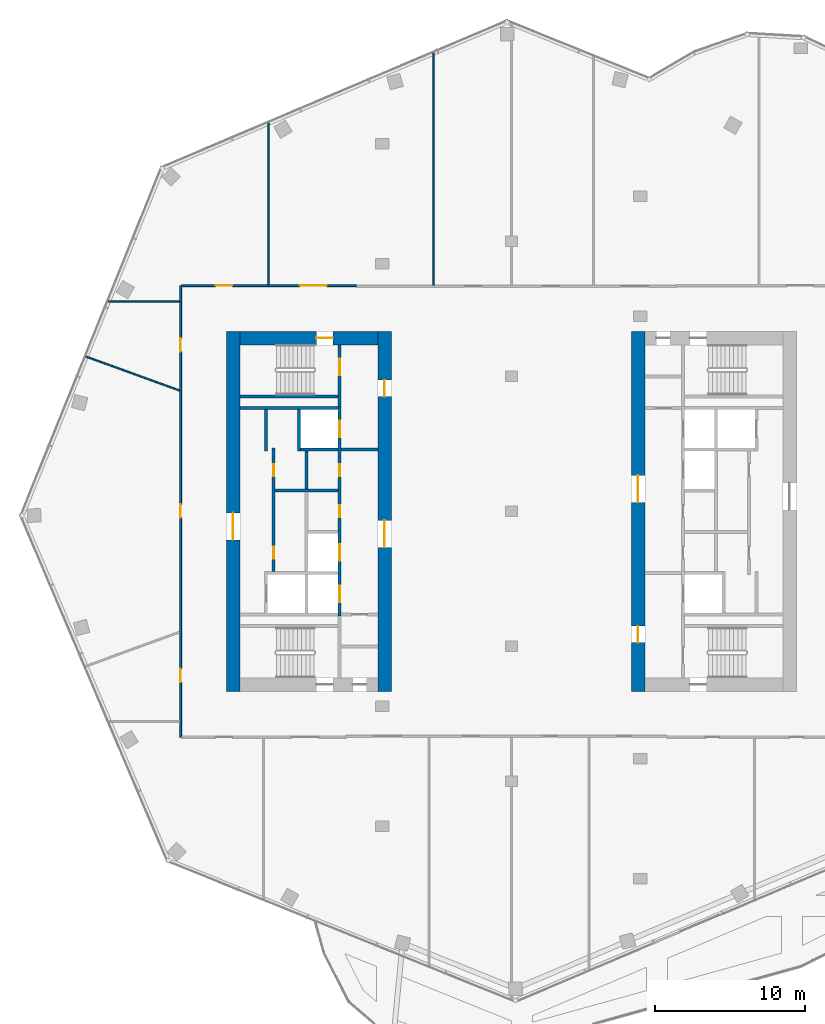
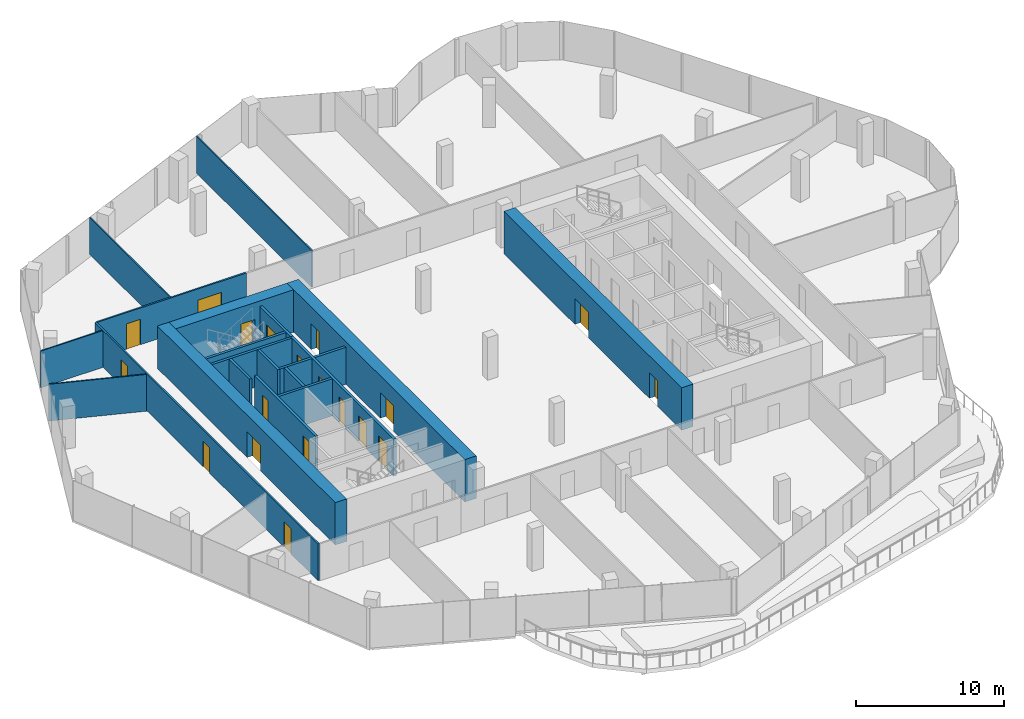
# One storey, part 13 of 17: 21 walls, 19 doors, 19 openings.
"""IFC4 building model written with IfcOpenShell, lengths in metres."""

from ifc_helpers import new_model, si_unit, direction, frame, frame_2d, origin, place, context, subcontext, project, spatial, rectangle, extrude, material, layer, layer_set, type_object, element, fill, save


model = new_model("IFC4")

# Units and contexts
model_context = context("Model", 3, precision=1e-05, world=origin(), true_north=direction((0.0, 1.0)))
body_context = subcontext(model_context, "Body", "Model", "MODEL_VIEW")
ifc_project = project(units=[si_unit("LENGTHUNIT", "METRE"), si_unit("AREAUNIT", "SQUARE_METRE"), si_unit("VOLUMEUNIT", "CUBIC_METRE"), si_unit("PLANEANGLEUNIT", "RADIAN"), si_unit("MASSUNIT", "GRAM", prefix="KILO")], contexts=[model_context])

# Site, building, storey
site_placement = place(None, origin())
site = spatial("IfcSite", under=ifc_project, at=site_placement, CompositionType="ELEMENT")
building_placement = place(site_placement, origin())
building = spatial("IfcBuilding", under=site, at=building_placement, Name="Orlundy Tower", CompositionType="ELEMENT")
storey_placement = place(building_placement, frame((0.0, 0.0, 296.39990234375)))
storey = spatial("IfcBuildingStorey", under=building, at=storey_placement, Name="L79", CompositionType="ELEMENT", Elevation=296.39990234375)

# Wall, opening, door
ifc_material_1 = material(Name="Concrete C50/60", Category="concrete")
ifc_layer_1 = layer(ifc_material_1, 0.89990234375)
ifc_layer_set_1 = layer_set([ifc_layer_1], Name="CORE WALL 900 C50/60")
wall_type_1 = type_object("IfcWallType", Name="CORE WALL 900 C50/60", PredefinedType="SHEAR", material=ifc_layer_set_1)
wall_1_placement = place(storey_placement, frame((-18.10009765625, 11.550048828125, 0.0), z_axis=(0.0, 0.0, 1.0), x_axis=(1.0, 0.0, 0.0)))
wall_1 = element("IfcWall", 1, at=wall_1_placement, inside=storey, type_object=wall_type_1, Name="Core wall W-N L79", PredefinedType="SHEAR", context=body_context, shape_type="SweptSolid", body=[
    extrude(rectangle(XDim=9.2001953125, YDim=0.89990234375, at=frame_2d((4.60009765625, 0.0))), origin(), (0.0, 0.0, 1.0), 3.5),
])
opening_1_placement = place(wall_1_placement, frame((5.10009765625, 0.0, 0.0)))
opening_1 = element("IfcOpeningElement", 2, at=opening_1_placement, cuts=wall_1, Name="Opening 61012", PredefinedType="OPENING", context=body_context, shape_type="SweptSolid", body=[
    extrude(rectangle(XDim=1.10009765625, YDim=2.10009765625, at=frame_2d((0.550048828125, 1.050048828125))), frame((0.0, 0.4599609375, 0.0), z_axis=(0.0, -1.0, 0.0), x_axis=(1.0, 0.0, 0.0)), (0.0, 0.0, 1.0), 0.919921875),
])
ifc_material_2 = material(Name="Steel door set", Category="steel")
door_type_1 = type_object("IfcDoorType", Name="Stair Door 1100x2100", OperationType="SINGLE_SWING_LEFT", PredefinedType="DOOR", material=ifc_material_2)
door_1_placement = place(opening_1_placement, origin())
door_1 = element("IfcDoor", 3, at=door_1_placement, inside=storey, type_object=door_type_1, Name="Stair door 61012", OperationType="SINGLE_SWING_RIGHT", OverallHeight=2.10009765625, OverallWidth=1.10009765625, PredefinedType="DOOR", context=body_context, shape_type="SweptSolid", body=[
    extrude(rectangle(XDim=1.10009765625, YDim=2.10009765625, at=frame_2d((0.550048828125, 1.050048828125))), frame((0.0, 0.02490234375, 0.0), z_axis=(0.0, -1.0, 0.0), x_axis=(1.0, 0.0, 0.0)), (0.0, 0.0, 1.0), 0.050048828125),
])
fill(opening_1, door_1)

wall_2_placement = place(storey_placement, frame((-18.550048828125, -12.0, 0.0), z_axis=(0.0, 0.0, 1.0), x_axis=(0.0, 1.0, 0.0)))
wall_2 = element("IfcWall", 4, at=wall_2_placement, inside=storey, type_object=wall_type_1, Name="Core wall W-W L79", PredefinedType="SHEAR", context=body_context, shape_type="SweptSolid", body=[
    extrude(rectangle(XDim=24.0, YDim=0.89990234375, at=frame_2d((12.0, 0.0))), origin(), (0.0, 0.0, 1.0), 3.5),
])
opening_2_placement = place(wall_2_placement, frame((10.10009765625, 0.0, 0.0)))
opening_2 = element("IfcOpeningElement", 5, at=opening_2_placement, cuts=wall_2, Name="Opening 61010", PredefinedType="OPENING", context=body_context, shape_type="SweptSolid", body=[
    extrude(rectangle(XDim=1.800048828125, YDim=2.10009765625, at=frame_2d((0.89990234375, 1.050048828125))), frame((0.0, 0.4599609375, 0.0), z_axis=(0.0, -1.0, 0.0), x_axis=(1.0, 0.0, 0.0)), (0.0, 0.0, 1.0), 0.919921875),
])
ifc_material_3 = material(Name="Timber door set", Category="wood")
door_type_2 = type_object("IfcDoorType", Name="Lobby Door 1800x2100", OperationType="DOUBLE_DOOR_DOUBLE_SWING", PredefinedType="DOOR", material=ifc_material_3)
door_2_placement = place(opening_2_placement, origin())
door_2 = element("IfcDoor", 6, at=door_2_placement, inside=storey, type_object=door_type_2, Name="Lift lobby door 61010", OperationType="SINGLE_SWING_LEFT", OverallHeight=2.10009765625, OverallWidth=1.800048828125, PredefinedType="DOOR", context=body_context, shape_type="SweptSolid", body=[
    extrude(rectangle(XDim=1.800048828125, YDim=2.10009765625, at=frame_2d((0.89990234375, 1.050048828125))), frame((0.0, 0.02490234375, 0.0), z_axis=(0.0, -1.0, 0.0), x_axis=(1.0, 0.0, 0.0)), (0.0, 0.0, 1.0), 0.050048828125),
])
fill(opening_2, door_2)

# Wall, openings, doors
wall_3_placement = place(storey_placement, frame((-8.449951171875, -12.0, 0.0), z_axis=(0.0, 0.0, 1.0), x_axis=(0.0, 1.0, 0.0)))
wall_3 = element("IfcWall", 7, at=wall_3_placement, inside=storey, type_object=wall_type_1, Name="Core wall W-E L79", PredefinedType="SHEAR", context=body_context, shape_type="SweptSolid", body=[
    extrude(rectangle(XDim=24.0, YDim=0.89990234375, at=frame_2d((12.0, 0.0))), origin(), (0.0, 0.0, 1.0), 3.5),
])
opening_3_placement = place(wall_3_placement, frame((9.60009765625, 0.0, 0.0)))
opening_3 = element("IfcOpeningElement", 8, at=opening_3_placement, cuts=wall_3, Name="Opening 61009", PredefinedType="OPENING", context=body_context, shape_type="SweptSolid", body=[
    extrude(rectangle(XDim=1.800048828125, YDim=2.10009765625, at=frame_2d((0.89990234375, 1.050048828125))), frame((0.0, 0.4599609375, 0.0), z_axis=(0.0, -1.0, 0.0), x_axis=(1.0, 0.0, 0.0)), (0.0, 0.0, 1.0), 0.919921875),
])
opening_4_placement = place(wall_3_placement, frame((19.64990234375, 0.0, 0.0)))
opening_4 = element("IfcOpeningElement", 9, at=opening_4_placement, cuts=wall_3, Name="Opening 61011", PredefinedType="OPENING", context=body_context, shape_type="SweptSolid", body=[
    extrude(rectangle(XDim=1.10009765625, YDim=2.10009765625, at=frame_2d((0.550048828125, 1.050048828125))), frame((0.0, 0.4599609375, 0.0), z_axis=(0.0, -1.0, 0.0), x_axis=(1.0, 0.0, 0.0)), (0.0, 0.0, 1.0), 0.919921875),
])
ifc_material_4 = material(Name="Steel door set", Category="steel")
door_type_3 = type_object("IfcDoorType", Name="Fire-fighting Lobby Door 1100x2100", OperationType="SINGLE_SWING_LEFT", PredefinedType="DOOR", material=ifc_material_4)
door_3_placement = place(opening_4_placement, origin())
door_3 = element("IfcDoor", 10, at=door_3_placement, inside=storey, type_object=door_type_3, Name="Fire-fighting lobby door 61011", OperationType="SINGLE_SWING_RIGHT", OverallHeight=2.10009765625, OverallWidth=1.10009765625, PredefinedType="DOOR", context=body_context, shape_type="SweptSolid", body=[
    extrude(rectangle(XDim=1.10009765625, YDim=2.10009765625, at=frame_2d((0.550048828125, 1.050048828125))), frame((0.0, 0.02490234375, 0.0), z_axis=(0.0, -1.0, 0.0), x_axis=(1.0, 0.0, 0.0)), (0.0, 0.0, 1.0), 0.050048828125),
])
fill(opening_4, door_3)
door_4_placement = place(opening_3_placement, origin())
door_4 = element("IfcDoor", 11, at=door_4_placement, inside=storey, type_object=door_type_2, Name="Lift lobby door 61009", OperationType="SINGLE_SWING_LEFT", OverallHeight=2.10009765625, OverallWidth=1.800048828125, PredefinedType="DOOR", context=body_context, shape_type="SweptSolid", body=[
    extrude(rectangle(XDim=1.800048828125, YDim=2.10009765625, at=frame_2d((0.89990234375, 1.050048828125))), frame((0.0, 0.02490234375, 0.0), z_axis=(0.0, -1.0, 0.0), x_axis=(1.0, 0.0, 0.0)), (0.0, 0.0, 1.0), 0.050048828125),
])
fill(opening_3, door_4)

wall_4_placement = place(storey_placement, frame((8.449951171875, -12.0, 0.0), z_axis=(0.0, 0.0, 1.0), x_axis=(0.0, 1.0, 0.0)))
wall_4 = element("IfcWall", 12, at=wall_4_placement, inside=storey, type_object=wall_type_1, Name="Core wall E-W L79", PredefinedType="SHEAR", context=body_context, shape_type="SweptSolid", body=[
    extrude(rectangle(XDim=24.0, YDim=0.89990234375, at=frame_2d((12.0, 0.0))), origin(), (0.0, 0.0, 1.0), 3.5),
])
opening_5_placement = place(wall_4_placement, frame((12.60009765625, 0.0, 0.0)))
opening_5 = element("IfcOpeningElement", 13, at=opening_5_placement, cuts=wall_4, Name="Opening 61058", PredefinedType="OPENING", context=body_context, shape_type="SweptSolid", body=[
    extrude(rectangle(XDim=1.800048828125, YDim=2.10009765625, at=frame_2d((0.89990234375, 1.050048828125))), frame((0.0, 0.4599609375, 0.0), z_axis=(0.0, -1.0, 0.0), x_axis=(1.0, 0.0, 0.0)), (0.0, 0.0, 1.0), 0.919921875),
])
opening_6_placement = place(wall_4_placement, frame((3.25, 0.0, 0.0)))
opening_6 = element("IfcOpeningElement", 14, at=opening_6_placement, cuts=wall_4, Name="Opening 61060", PredefinedType="OPENING", context=body_context, shape_type="SweptSolid", body=[
    extrude(rectangle(XDim=1.10009765625, YDim=2.10009765625, at=frame_2d((0.550048828125, 1.050048828125))), frame((0.0, 0.4599609375, 0.0), z_axis=(0.0, -1.0, 0.0), x_axis=(1.0, 0.0, 0.0)), (0.0, 0.0, 1.0), 0.919921875),
])
door_5_placement = place(opening_6_placement, origin())
door_5 = element("IfcDoor", 15, at=door_5_placement, inside=storey, type_object=door_type_3, Name="Fire-fighting lobby door 61060", OperationType="SINGLE_SWING_LEFT", OverallHeight=2.10009765625, OverallWidth=1.10009765625, PredefinedType="DOOR", context=body_context, shape_type="SweptSolid", body=[
    extrude(rectangle(XDim=1.10009765625, YDim=2.10009765625, at=frame_2d((0.550048828125, 1.050048828125))), frame((0.0, 0.02490234375, 0.0), z_axis=(0.0, -1.0, 0.0), x_axis=(1.0, 0.0, 0.0)), (0.0, 0.0, 1.0), 0.050048828125),
])
fill(opening_6, door_5)
door_6_placement = place(opening_5_placement, origin())
door_6 = element("IfcDoor", 16, at=door_6_placement, inside=storey, type_object=door_type_2, Name="Lift lobby door 61058", OperationType="SINGLE_SWING_RIGHT", OverallHeight=2.10009765625, OverallWidth=1.800048828125, PredefinedType="DOOR", context=body_context, shape_type="SweptSolid", body=[
    extrude(rectangle(XDim=1.800048828125, YDim=2.10009765625, at=frame_2d((0.89990234375, 1.050048828125))), frame((0.0, 0.02490234375, 0.0), z_axis=(0.0, -1.0, 0.0), x_axis=(1.0, 0.0, 0.0)), (0.0, 0.0, 1.0), 0.050048828125),
])
fill(opening_5, door_6)

# Walls
ifc_material_5 = material(Name="Gypsum board partition")
ifc_layer_2 = layer(ifc_material_5, 0.10009765625)
ifc_layer_set_2 = layer_set([ifc_layer_2], Name="Floor partition 100")
wall_type_2 = type_object("IfcWallType", Name="Floor partition 100", PredefinedType="PARTITIONING", material=ifc_layer_set_2)
wall_5_placement = place(storey_placement, frame((-28.444091796875, 10.35302734375, 0.0), z_axis=(0.0, 0.0, 1.0), x_axis=(0.939696849906, -0.342008523689, 0.0)))
element("IfcWall", 17, at=wall_5_placement, inside=storey, type_object=wall_type_2, Name="wall-int-L79-001", PredefinedType="PARTITIONING", context=body_context, shape_type="SweptSolid", body=[
    extrude(rectangle(XDim=6.719482421875, YDim=0.10009765625, at=frame_2d((3.35986328125, 0.0))), origin(), (0.0, 0.0, 1.0), 3.030029296875),
])
wall_6_placement = place(storey_placement, frame((-26.969970703125, 14.0, 0.0), z_axis=(0.0, 0.0, 1.0), x_axis=(1.0, 0.0, 0.0)))
element("IfcWall", 18, at=wall_6_placement, inside=storey, type_object=wall_type_2, Name="wall-int-L79-009", PredefinedType="PARTITIONING", context=body_context, shape_type="SweptSolid", body=[
    extrude(rectangle(XDim=4.85693359375, YDim=0.10009765625, at=frame_2d((2.428466796875, 0.0))), origin(), (0.0, 0.0, 1.0), 3.030029296875),
])
wall_7_placement = place(storey_placement, frame((-5.175048828125, 15.06298828125, 0.0), z_axis=(0.0, 0.0, 1.0), x_axis=(0.0, 1.0, 0.0)))
element("IfcWall", 19, at=wall_7_placement, inside=storey, type_object=wall_type_2, Name="wall-int-L79-023", PredefinedType="PARTITIONING", context=body_context, shape_type="SweptSolid", body=[
    extrude(rectangle(XDim=15.60302734375, YDim=0.10009765625, at=frame_2d((7.801513671875, 0.0))), origin(), (0.0, 0.0, 1.0), 3.030029296875),
])
wall_8_placement = place(storey_placement, frame((-16.198974609375, 15.114013671875, 0.0), z_axis=(0.0, 0.0, 1.0), x_axis=(0.0, 1.0, 0.0)))
element("IfcWall", 20, at=wall_8_placement, inside=storey, type_object=wall_type_2, Name="wall-int-L79-025", PredefinedType="PARTITIONING", context=body_context, shape_type="SweptSolid", body=[
    extrude(rectangle(XDim=10.873046875, YDim=0.10009765625, at=frame_2d((5.4365234375, 0.0))), origin(), (0.0, 0.0, 1.0), 3.030029296875),
])

# Wall, openings, doors
ifc_material_6 = material(Name="Gypsum board partition, double layer")
ifc_layer_3 = layer(ifc_material_6, 0.125)
ifc_layer_set_3 = layer_set([ifc_layer_3], Name="Floor partition 125")
wall_type_3 = type_object("IfcWallType", Name="Floor partition 125", PredefinedType="PARTITIONING", material=ifc_layer_set_3)
wall_9_placement = place(storey_placement, frame((-21.988037109375, 15.051025390625, 0.0), z_axis=(0.0, 0.0, 1.0), x_axis=(1.0, 0.0, 0.0)))
wall_9 = element("IfcWall", 21, at=wall_9_placement, inside=storey, type_object=wall_type_3, Name="wall-int-L79-012", PredefinedType="PARTITIONING", context=body_context, shape_type="SweptSolid", body=[
    extrude(rectangle(XDim=11.637939453125, YDim=0.125, at=frame_2d((5.81884765625, 0.0))), origin(), (0.0, 0.0, 1.0), 3.030029296875),
])
opening_7_placement = place(wall_9_placement, frame((7.888427734375, 0.0, 0.0)))
opening_7 = element("IfcOpeningElement", 22, at=opening_7_placement, cuts=wall_9, Name="Opening 61118", PredefinedType="OPENING", context=body_context, shape_type="SweptSolid", body=[
    extrude(rectangle(XDim=1.800048828125, YDim=2.10009765625, at=frame_2d((0.89990234375, 1.050048828125))), frame((0.0, 0.072509765625, 0.0), z_axis=(0.0, -1.0, 0.0), x_axis=(1.0, 0.0, 0.0)), (0.0, 0.0, 1.0), 0.14501953125),
])
opening_8_placement = place(wall_9_placement, frame((2.28759765625, 0.0, 0.0)))
opening_8 = element("IfcOpeningElement", 23, at=opening_8_placement, cuts=wall_9, Name="Opening 61119", PredefinedType="OPENING", context=body_context, shape_type="SweptSolid", body=[
    extrude(rectangle(XDim=1.10009765625, YDim=2.10009765625, at=frame_2d((0.550048828125, 1.050048828125))), frame((0.0, 0.072509765625, 0.0), z_axis=(0.0, -1.0, 0.0), x_axis=(1.0, 0.0, 0.0)), (0.0, 0.0, 1.0), 0.14501953125),
])
ifc_material_7 = material(Name="Timber door leaf", Category="wood")
door_type_4 = type_object("IfcDoorType", Name="Floor door double 1800 FD30S", OperationType="NOTDEFINED", PredefinedType="DOOR", material=ifc_material_7)
door_7_placement = place(opening_7_placement, origin())
door_7 = element("IfcDoor", 24, at=door_7_placement, inside=storey, type_object=door_type_4, Name="Door 61118", OperationType="DOUBLE_DOOR_SINGLE_SWING", OverallHeight=2.10009765625, OverallWidth=1.800048828125, PredefinedType="DOOR", context=body_context, shape_type="SweptSolid", body=[
    extrude(rectangle(XDim=1.800048828125, YDim=2.10009765625, at=frame_2d((0.89990234375, 1.050048828125))), frame((0.0, 0.02490234375, 0.0), z_axis=(0.0, -1.0, 0.0), x_axis=(1.0, 0.0, 0.0)), (0.0, 0.0, 1.0), 0.050048828125),
])
fill(opening_7, door_7)
ifc_material_8 = material(Name="Timber door leaf", Category="wood")
door_type_5 = type_object("IfcDoorType", Name="Floor door xwide 1100 FD30S", OperationType="NOTDEFINED", PredefinedType="DOOR", material=ifc_material_8)
door_8_placement = place(opening_8_placement, origin())
door_8 = element("IfcDoor", 25, at=door_8_placement, inside=storey, type_object=door_type_5, Name="Door 61119", OperationType="SINGLE_SWING_LEFT", OverallHeight=2.10009765625, OverallWidth=1.10009765625, PredefinedType="DOOR", context=body_context, shape_type="SweptSolid", body=[
    extrude(rectangle(XDim=1.10009765625, YDim=2.10009765625, at=frame_2d((0.550048828125, 1.050048828125))), frame((0.0, 0.02490234375, 0.0), z_axis=(0.0, -1.0, 0.0), x_axis=(1.0, 0.0, 0.0)), (0.0, 0.0, 1.0), 0.050048828125),
])
fill(opening_8, door_8)

wall_10_placement = place(storey_placement, frame((-22.050048828125, -15.051025390625, 0.0), z_axis=(0.0, 0.0, 1.0), x_axis=(0.0, 1.0, 0.0)))
wall_10 = element("IfcWall", 26, at=wall_10_placement, inside=storey, type_object=wall_type_3, Name="wall-int-L79-027", PredefinedType="PARTITIONING", context=body_context, shape_type="SweptSolid", body=[
    extrude(rectangle(XDim=30.10205078125, YDim=0.125, at=frame_2d((15.051025390625, 0.0))), origin(), (0.0, 0.0, 1.0), 3.030029296875),
])
opening_9_placement = place(wall_10_placement, frame((14.625, 0.0, 0.0)))
opening_9 = element("IfcOpeningElement", 27, at=opening_9_placement, cuts=wall_10, Name="Opening 61100", PredefinedType="OPENING", context=body_context, shape_type="SweptSolid", body=[
    extrude(rectangle(XDim=0.89990234375, YDim=2.10009765625, at=frame_2d((0.449951171875, 1.050048828125))), frame((0.0, 0.072509765625, 0.0), z_axis=(0.0, -1.0, 0.0), x_axis=(1.0, 0.0, 0.0)), (0.0, 0.0, 1.0), 0.14501953125),
])
opening_10_placement = place(wall_10_placement, frame((3.65087890625, 0.0, 0.0)))
opening_10 = element("IfcOpeningElement", 28, at=opening_10_placement, cuts=wall_10, Name="Opening 61101", PredefinedType="OPENING", context=body_context, shape_type="SweptSolid", body=[
    extrude(rectangle(XDim=0.89990234375, YDim=2.10009765625, at=frame_2d((0.449951171875, 1.050048828125))), frame((0.0, 0.072509765625, 0.0), z_axis=(0.0, -1.0, 0.0), x_axis=(1.0, 0.0, 0.0)), (0.0, 0.0, 1.0), 0.14501953125),
])
opening_11_placement = place(wall_10_placement, frame((25.677001953125, 0.0, 0.0)))
opening_11 = element("IfcOpeningElement", 29, at=opening_11_placement, cuts=wall_10, Name="Opening 61120", PredefinedType="OPENING", context=body_context, shape_type="SweptSolid", body=[
    extrude(rectangle(XDim=0.89990234375, YDim=2.10009765625, at=frame_2d((0.449951171875, 1.050048828125))), frame((0.0, 0.072509765625, 0.0), z_axis=(0.0, -1.0, 0.0), x_axis=(1.0, 0.0, 0.0)), (0.0, 0.0, 1.0), 0.14501953125),
])
ifc_material_9 = material(Name="Timber door leaf", Category="wood")
door_type_6 = type_object("IfcDoorType", Name="Floor door single 900 FD30S", OperationType="NOTDEFINED", PredefinedType="DOOR", material=ifc_material_9)
door_9_placement = place(opening_9_placement, origin())
door_9 = element("IfcDoor", 30, at=door_9_placement, inside=storey, type_object=door_type_6, Name="Door 61100", OperationType="SINGLE_SWING_RIGHT", OverallHeight=2.10009765625, OverallWidth=0.89990234375, PredefinedType="DOOR", context=body_context, shape_type="SweptSolid", body=[
    extrude(rectangle(XDim=0.89990234375, YDim=2.10009765625, at=frame_2d((0.449951171875, 1.050048828125))), frame((0.0, 0.02490234375, 0.0), z_axis=(0.0, -1.0, 0.0), x_axis=(1.0, 0.0, 0.0)), (0.0, 0.0, 1.0), 0.050048828125),
])
fill(opening_9, door_9)
door_10_placement = place(opening_10_placement, origin())
door_10 = element("IfcDoor", 31, at=door_10_placement, inside=storey, type_object=door_type_6, Name="Door 61101", OperationType="SINGLE_SWING_LEFT", OverallHeight=2.10009765625, OverallWidth=0.89990234375, PredefinedType="DOOR", context=body_context, shape_type="SweptSolid", body=[
    extrude(rectangle(XDim=0.89990234375, YDim=2.10009765625, at=frame_2d((0.449951171875, 1.050048828125))), frame((0.0, 0.02490234375, 0.0), z_axis=(0.0, -1.0, 0.0), x_axis=(1.0, 0.0, 0.0)), (0.0, 0.0, 1.0), 0.050048828125),
])
fill(opening_10, door_10)
door_11_placement = place(opening_11_placement, origin())
door_11 = element("IfcDoor", 32, at=door_11_placement, inside=storey, type_object=door_type_6, Name="Door 61120", OperationType="SINGLE_SWING_RIGHT", OverallHeight=2.10009765625, OverallWidth=0.89990234375, PredefinedType="DOOR", context=body_context, shape_type="SweptSolid", body=[
    extrude(rectangle(XDim=0.89990234375, YDim=2.10009765625, at=frame_2d((0.449951171875, 1.050048828125))), frame((0.0, 0.02490234375, 0.0), z_axis=(0.0, -1.0, 0.0), x_axis=(1.0, 0.0, 0.0)), (0.0, 0.0, 1.0), 0.050048828125),
])
fill(opening_11, door_11)

# Wall, opening, door
ifc_material_10 = material(Name="Concrete C40/50", Category="concrete")
ifc_layer_4 = layer(ifc_material_10, 0.199951171875)
ifc_layer_set_4 = layer_set([ifc_layer_4], Name="Load-bearing Shaft Wall 200")
wall_type_4 = type_object("IfcWallType", Name="Load-bearing Shaft Wall 200", PredefinedType="SOLIDWALL", material=ifc_layer_set_4)
wall_11_placement = place(storey_placement, frame((-11.43994140625, 6.97509765625, 0.0), z_axis=(0.0, 0.0, 1.0), x_axis=(0.0, 1.0, 0.0)))
wall_11 = element("IfcWall", 33, at=wall_11_placement, inside=storey, type_object=wall_type_4, Name="Shaft wall W61-stair-end-n", PredefinedType="SOLIDWALL", context=body_context, shape_type="SweptSolid", body=[
    extrude(rectangle(XDim=4.125, YDim=0.199951171875, at=frame_2d((2.0625, 0.0))), origin(), (0.0, 0.0, 1.0), 3.050048828125),
])
opening_12_placement = place(wall_11_placement, frame((2.10009765625, 0.0, 0.0)))
opening_12 = element("IfcOpeningElement", 34, at=opening_12_placement, cuts=wall_11, Name="Opening 61014", PredefinedType="OPENING", context=body_context, shape_type="SweptSolid", body=[
    extrude(rectangle(XDim=1.10009765625, YDim=2.10009765625, at=frame_2d((0.550048828125, 1.050048828125))), frame((0.0, 0.110107421875, 0.0), z_axis=(0.0, -1.0, 0.0), x_axis=(1.0, 0.0, 0.0)), (0.0, 0.0, 1.0), 0.22021484375),
])
door_12_placement = place(opening_12_placement, origin())
door_12 = element("IfcDoor", 35, at=door_12_placement, inside=storey, type_object=door_type_3, Name="Fire-fighting lobby to stair door 61014", OperationType="SINGLE_SWING_RIGHT", OverallHeight=2.10009765625, OverallWidth=1.10009765625, PredefinedType="DOOR", context=body_context, shape_type="SweptSolid", body=[
    extrude(rectangle(XDim=1.10009765625, YDim=2.10009765625, at=frame_2d((0.550048828125, 1.050048828125))), frame((0.0, 0.02490234375, 0.0), z_axis=(0.0, -1.0, 0.0), x_axis=(1.0, 0.0, 0.0)), (0.0, 0.0, 1.0), 0.050048828125),
])
fill(opening_12, door_12)

# Walls
wall_12_placement = place(storey_placement, frame((-11.5400390625, 7.64990234375, 0.0), z_axis=(0.0, 0.0, 1.0), x_axis=(-1.0, 0.0, 0.0)))
element("IfcWall", 36, at=wall_12_placement, inside=storey, type_object=wall_type_4, Name="Shaft wall W61-stair-side-n", PredefinedType="SOLIDWALL", context=body_context, shape_type="SweptSolid", body=[
    extrude(rectangle(XDim=6.56005859375, YDim=0.199951171875, at=frame_2d((3.280029296875, 0.0))), origin(), (0.0, 0.0, 1.0), 3.050048828125),
])
ifc_material_11 = material(Name="Gypsum board partition on steel studs", Category="steel")
ifc_layer_5 = layer(ifc_material_11, 0.199951171875)
ifc_layer_set_5 = layer_set([ifc_layer_5], Name="Partition 200")
wall_type_5 = type_object("IfcWallType", Name="Partition 200", PredefinedType="PARTITIONING", material=ifc_layer_set_5)
wall_13_placement = place(storey_placement, frame((-8.89990234375, 4.125, 0.0), z_axis=(0.0, 0.0, 1.0), x_axis=(-1.0, 0.0, 0.0)))
element("IfcWall", 37, at=wall_13_placement, inside=storey, type_object=wall_type_5, Name="Partition wall W61-lobby-n", PredefinedType="PARTITIONING", context=body_context, shape_type="SweptSolid", body=[
    extrude(rectangle(XDim=2.440185546875, YDim=0.199951171875, at=frame_2d((1.22021484375, 0.0))), origin(), (0.0, 0.0, 1.0), 3.050048828125),
])
ifc_material_12 = material(Name="Fire-rated blockwork shaft wall", Category="masonry")
ifc_layer_6 = layer(ifc_material_12, 0.199951171875)
ifc_layer_set_6 = layer_set([ifc_layer_6], Name="Shaft Wall 200")
wall_type_6 = type_object("IfcWallType", Name="Shaft Wall 200", PredefinedType="SOLIDWALL", material=ifc_layer_set_6)
wall_14_placement = place(storey_placement, frame((-11.5400390625, 6.875, 0.0), z_axis=(0.0, 0.0, 1.0), x_axis=(-1.0, 0.0, 0.0)))
element("IfcWall", 38, at=wall_14_placement, inside=storey, type_object=wall_type_6, Name="Shaft wall W61-zone-n", PredefinedType="SOLIDWALL", context=body_context, shape_type="SweptSolid", body=[
    extrude(rectangle(XDim=6.56005859375, YDim=0.199951171875, at=frame_2d((3.280029296875, 0.0))), origin(), (0.0, 0.0, 1.0), 3.050048828125),
])
wall_15_placement = place(storey_placement, frame((-11.5400390625, 1.375, 0.0), z_axis=(0.0, 0.0, 1.0), x_axis=(-1.0, 0.0, 0.0)))
element("IfcWall", 39, at=wall_15_placement, inside=storey, type_object=wall_type_6, Name="Shaft wall W61-cross+1.375", PredefinedType="SOLIDWALL", context=body_context, shape_type="SweptSolid", body=[
    extrude(rectangle(XDim=4.199951171875, YDim=0.199951171875, at=frame_2d((2.10009765625, 0.0))), origin(), (0.0, 0.0, 1.0), 3.050048828125),
])
wall_16_placement = place(storey_placement, frame((-11.5400390625, 4.125, 0.0), z_axis=(0.0, 0.0, 1.0), x_axis=(-1.0, 0.0, 0.0)))
element("IfcWall", 40, at=wall_16_placement, inside=storey, type_object=wall_type_6, Name="Shaft wall W61-cross+4.125", PredefinedType="SOLIDWALL", context=body_context, shape_type="SweptSolid", body=[
    extrude(rectangle(XDim=2.5, YDim=0.199951171875, at=frame_2d((1.25, 0.0))), origin(), (0.0, 0.0, 1.0), 3.050048828125),
])

# Wall, openings, doors
wall_17_placement = place(storey_placement, frame((-11.43994140625, -6.97509765625, 0.0), z_axis=(0.0, 0.0, 1.0), x_axis=(0.0, 1.0, 0.0)))
wall_17 = element("IfcWall", 41, at=wall_17_placement, inside=storey, type_object=wall_type_6, Name="Shaft wall W61-front-h", PredefinedType="SOLIDWALL", context=body_context, shape_type="SweptSolid", body=[
    extrude(rectangle(XDim=13.9501953125, YDim=0.199951171875, at=frame_2d((6.97509765625, 0.0))), origin(), (0.0, 0.0, 1.0), 3.050048828125),
])
opening_13_placement = place(wall_17_placement, frame((0.925048828125, 0.0, 0.0)))
opening_13 = element("IfcOpeningElement", 42, at=opening_13_placement, cuts=wall_17, Name="Opening 61001", PredefinedType="OPENING", context=body_context, shape_type="SweptSolid", body=[
    extrude(rectangle(XDim=1.10009765625, YDim=2.10009765625, at=frame_2d((0.550048828125, 1.050048828125))), frame((0.0, 0.110107421875, 0.0), z_axis=(0.0, -1.0, 0.0), x_axis=(1.0, 0.0, 0.0)), (0.0, 0.0, 1.0), 0.22021484375),
])
opening_14_placement = place(wall_17_placement, frame((3.675048828125, 0.0, 0.0)))
opening_14 = element("IfcOpeningElement", 43, at=opening_14_placement, cuts=wall_17, Name="Opening 61003", PredefinedType="OPENING", context=body_context, shape_type="SweptSolid", body=[
    extrude(rectangle(XDim=1.10009765625, YDim=2.10009765625, at=frame_2d((0.550048828125, 1.050048828125))), frame((0.0, 0.110107421875, 0.0), z_axis=(0.0, -1.0, 0.0), x_axis=(1.0, 0.0, 0.0)), (0.0, 0.0, 1.0), 0.22021484375),
])
opening_15_placement = place(wall_17_placement, frame((11.925048828125, 0.0, 0.0)))
opening_15 = element("IfcOpeningElement", 44, at=opening_15_placement, cuts=wall_17, Name="Opening 61004", PredefinedType="OPENING", context=body_context, shape_type="SweptSolid", body=[
    extrude(rectangle(XDim=1.10009765625, YDim=2.10009765625, at=frame_2d((0.550048828125, 1.050048828125))), frame((0.0, 0.110107421875, 0.0), z_axis=(0.0, -1.0, 0.0), x_axis=(1.0, 0.0, 0.0)), (0.0, 0.0, 1.0), 0.22021484375),
])
opening_16_placement = place(wall_17_placement, frame((6.574951171875, 0.0, 0.0)))
opening_16 = element("IfcOpeningElement", 45, at=opening_16_placement, cuts=wall_17, Name="Opening 61006", PredefinedType="OPENING", context=body_context, shape_type="SweptSolid", body=[
    extrude(rectangle(XDim=0.800048828125, YDim=2.10009765625, at=frame_2d((0.39990234375, 1.050048828125))), frame((0.0, 0.110107421875, 0.0), z_axis=(0.0, -1.0, 0.0), x_axis=(1.0, 0.0, 0.0)), (0.0, 0.0, 1.0), 0.22021484375),
])
opening_17_placement = place(wall_17_placement, frame((9.324951171875, 0.0, 0.0)))
opening_17 = element("IfcOpeningElement", 46, at=opening_17_placement, cuts=wall_17, Name="Opening 61007", PredefinedType="OPENING", context=body_context, shape_type="SweptSolid", body=[
    extrude(rectangle(XDim=0.800048828125, YDim=2.10009765625, at=frame_2d((0.39990234375, 1.050048828125))), frame((0.0, 0.110107421875, 0.0), z_axis=(0.0, -1.0, 0.0), x_axis=(1.0, 0.0, 0.0)), (0.0, 0.0, 1.0), 0.22021484375),
])
ifc_material_13 = material(Name="Steel door set", Category="steel")
door_type_7 = type_object("IfcDoorType", Name="Landing Door 1100x2100", OperationType="DOUBLE_DOOR_SLIDING", PredefinedType="DOOR", material=ifc_material_13)
door_13_placement = place(opening_13_placement, origin())
door_13 = element("IfcDoor", 47, at=door_13_placement, inside=storey, type_object=door_type_7, Name="Lift landing door LP-22 61001", OperationType="DOUBLE_DOOR_SLIDING", OverallHeight=2.10009765625, OverallWidth=1.10009765625, PredefinedType="DOOR", context=body_context, shape_type="SweptSolid", body=[
    extrude(rectangle(XDim=1.10009765625, YDim=2.10009765625, at=frame_2d((0.550048828125, 1.050048828125))), frame((0.0, 0.02490234375, 0.0), z_axis=(0.0, -1.0, 0.0), x_axis=(1.0, 0.0, 0.0)), (0.0, 0.0, 1.0), 0.050048828125),
])
fill(opening_13, door_13)
door_14_placement = place(opening_14_placement, origin())
door_14 = element("IfcDoor", 48, at=door_14_placement, inside=storey, type_object=door_type_7, Name="Lift landing door LP-21 61003", OperationType="DOUBLE_DOOR_SLIDING", OverallHeight=2.10009765625, OverallWidth=1.10009765625, PredefinedType="DOOR", context=body_context, shape_type="SweptSolid", body=[
    extrude(rectangle(XDim=1.10009765625, YDim=2.10009765625, at=frame_2d((0.550048828125, 1.050048828125))), frame((0.0, 0.02490234375, 0.0), z_axis=(0.0, -1.0, 0.0), x_axis=(1.0, 0.0, 0.0)), (0.0, 0.0, 1.0), 0.050048828125),
])
fill(opening_14, door_14)
door_15_placement = place(opening_15_placement, origin())
door_15 = element("IfcDoor", 49, at=door_15_placement, inside=storey, type_object=door_type_7, Name="Lift landing door FL1 61004", OperationType="DOUBLE_DOOR_SLIDING", OverallHeight=2.10009765625, OverallWidth=1.10009765625, PredefinedType="DOOR", context=body_context, shape_type="SweptSolid", body=[
    extrude(rectangle(XDim=1.10009765625, YDim=2.10009765625, at=frame_2d((0.550048828125, 1.050048828125))), frame((0.0, 0.02490234375, 0.0), z_axis=(0.0, -1.0, 0.0), x_axis=(1.0, 0.0, 0.0)), (0.0, 0.0, 1.0), 0.050048828125),
])
fill(opening_15, door_15)
ifc_material_14 = material(Name="Timber door set", Category="wood")
door_type_8 = type_object("IfcDoorType", Name="Riser Door 800x2100", OperationType="SINGLE_SWING_LEFT", PredefinedType="DOOR", material=ifc_material_14)
door_16_placement = place(opening_16_placement, origin())
door_16 = element("IfcDoor", 50, at=door_16_placement, inside=storey, type_object=door_type_8, Name="Coat Store door 61006", OperationType="SINGLE_SWING_LEFT", OverallHeight=2.10009765625, OverallWidth=0.800048828125, PredefinedType="DOOR", context=body_context, shape_type="SweptSolid", body=[
    extrude(rectangle(XDim=0.800048828125, YDim=2.10009765625, at=frame_2d((0.39990234375, 1.050048828125))), frame((0.0, 0.02490234375, 0.0), z_axis=(0.0, -1.0, 0.0), x_axis=(1.0, 0.0, 0.0)), (0.0, 0.0, 1.0), 0.050048828125),
])
fill(opening_16, door_16)
door_17_placement = place(opening_17_placement, origin())
door_17 = element("IfcDoor", 51, at=door_17_placement, inside=storey, type_object=door_type_8, Name="Parcel Store door 61007", OperationType="SINGLE_SWING_LEFT", OverallHeight=2.10009765625, OverallWidth=0.800048828125, PredefinedType="DOOR", context=body_context, shape_type="SweptSolid", body=[
    extrude(rectangle(XDim=0.800048828125, YDim=2.10009765625, at=frame_2d((0.39990234375, 1.050048828125))), frame((0.0, 0.02490234375, 0.0), z_axis=(0.0, -1.0, 0.0), x_axis=(1.0, 0.0, 0.0)), (0.0, 0.0, 1.0), 0.050048828125),
])
fill(opening_17, door_17)

# Walls
wall_18_placement = place(storey_placement, frame((-13.639892578125, 1.47509765625, 0.0), z_axis=(0.0, 0.0, 1.0), x_axis=(0.0, 1.0, 0.0)))
element("IfcWall", 52, at=wall_18_placement, inside=storey, type_object=wall_type_6, Name="Shaft wall W61-mid-a.2", PredefinedType="SOLIDWALL", context=body_context, shape_type="SweptSolid", body=[
    extrude(rectangle(XDim=2.5498046875, YDim=0.199951171875, at=frame_2d((1.27490234375, 0.0))), origin(), (0.0, 0.0, 1.0), 3.050048828125),
])
wall_19_placement = place(storey_placement, frame((-14.139892578125, 4.02490234375, 0.0), z_axis=(0.0, 0.0, 1.0), x_axis=(0.0, 1.0, 0.0)))
element("IfcWall", 53, at=wall_19_placement, inside=storey, type_object=wall_type_6, Name="Shaft wall W61-mid-b", PredefinedType="SOLIDWALL", context=body_context, shape_type="SweptSolid", body=[
    extrude(rectangle(XDim=2.75, YDim=0.199951171875, at=frame_2d((1.375, 0.0))), origin(), (0.0, 0.0, 1.0), 3.050048828125),
])

# Wall, openings, doors
wall_20_placement = place(storey_placement, frame((-15.840087890625, -4.02490234375, 0.0), z_axis=(0.0, 0.0, 1.0), x_axis=(0.0, 1.0, 0.0)))
wall_20 = element("IfcWall", 54, at=wall_20_placement, inside=storey, type_object=wall_type_6, Name="Shaft wall W61-front-o-b", PredefinedType="SOLIDWALL", context=body_context, shape_type="SweptSolid", body=[
    extrude(rectangle(XDim=8.25, YDim=0.199951171875, at=frame_2d((4.125, 0.0))), origin(), (0.0, 0.0, 1.0), 3.050048828125),
])
opening_18_placement = place(wall_20_placement, frame((0.875, 0.0, 0.0)))
opening_18 = element("IfcOpeningElement", 55, at=opening_18_placement, cuts=wall_20, Name="Opening 61005", PredefinedType="OPENING", context=body_context, shape_type="SweptSolid", body=[
    extrude(rectangle(XDim=0.800048828125, YDim=2.10009765625, at=frame_2d((0.39990234375, 1.050048828125))), frame((0.0, 0.110107421875, 0.0), z_axis=(0.0, -1.0, 0.0), x_axis=(1.0, 0.0, 0.0)), (0.0, 0.0, 1.0), 0.22021484375),
])
opening_19_placement = place(wall_20_placement, frame((6.375, 0.0, 0.0)))
opening_19 = element("IfcOpeningElement", 56, at=opening_19_placement, cuts=wall_20, Name="Opening 61008", PredefinedType="OPENING", context=body_context, shape_type="SweptSolid", body=[
    extrude(rectangle(XDim=0.800048828125, YDim=2.10009765625, at=frame_2d((0.39990234375, 1.050048828125))), frame((0.0, 0.110107421875, 0.0), z_axis=(0.0, -1.0, 0.0), x_axis=(1.0, 0.0, 0.0)), (0.0, 0.0, 1.0), 0.22021484375),
])
door_18_placement = place(opening_18_placement, origin())
door_18 = element("IfcDoor", 57, at=door_18_placement, inside=storey, type_object=door_type_8, Name="Printer Paper Store door 61005", OperationType="SINGLE_SWING_LEFT", OverallHeight=2.10009765625, OverallWidth=0.800048828125, PredefinedType="DOOR", context=body_context, shape_type="SweptSolid", body=[
    extrude(rectangle(XDim=0.800048828125, YDim=2.10009765625, at=frame_2d((0.39990234375, 1.050048828125))), frame((0.0, 0.02490234375, 0.0), z_axis=(0.0, -1.0, 0.0), x_axis=(1.0, 0.0, 0.0)), (0.0, 0.0, 1.0), 0.050048828125),
])
fill(opening_18, door_18)
door_19_placement = place(opening_19_placement, origin())
door_19 = element("IfcDoor", 58, at=door_19_placement, inside=storey, type_object=door_type_8, Name="Coat Store door 61008", OperationType="SINGLE_SWING_LEFT", OverallHeight=2.10009765625, OverallWidth=0.800048828125, PredefinedType="DOOR", context=body_context, shape_type="SweptSolid", body=[
    extrude(rectangle(XDim=0.800048828125, YDim=2.10009765625, at=frame_2d((0.39990234375, 1.050048828125))), frame((0.0, 0.02490234375, 0.0), z_axis=(0.0, -1.0, 0.0), x_axis=(1.0, 0.0, 0.0)), (0.0, 0.0, 1.0), 0.050048828125),
])
fill(opening_19, door_19)

# Wall
wall_21_placement = place(storey_placement, frame((-16.340087890625, 4.02490234375, 0.0), z_axis=(0.0, 0.0, 1.0), x_axis=(0.0, 1.0, 0.0)))
element("IfcWall", 59, at=wall_21_placement, inside=storey, type_object=wall_type_6, Name="Shaft wall W61-front-o-c", PredefinedType="SOLIDWALL", context=body_context, shape_type="SweptSolid", body=[
    extrude(rectangle(XDim=2.75, YDim=0.199951171875, at=frame_2d((1.375, 0.0))), origin(), (0.0, 0.0, 1.0), 3.050048828125),
])

save(model, "model.ifc")
